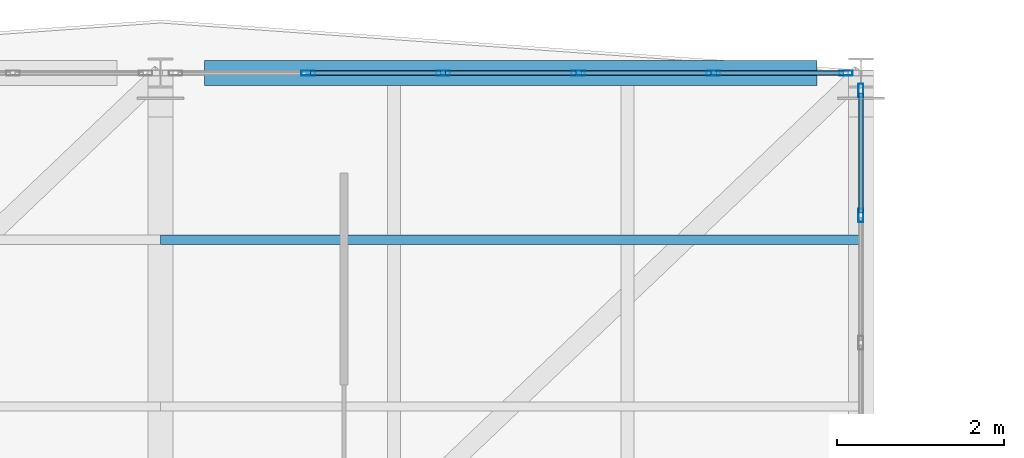
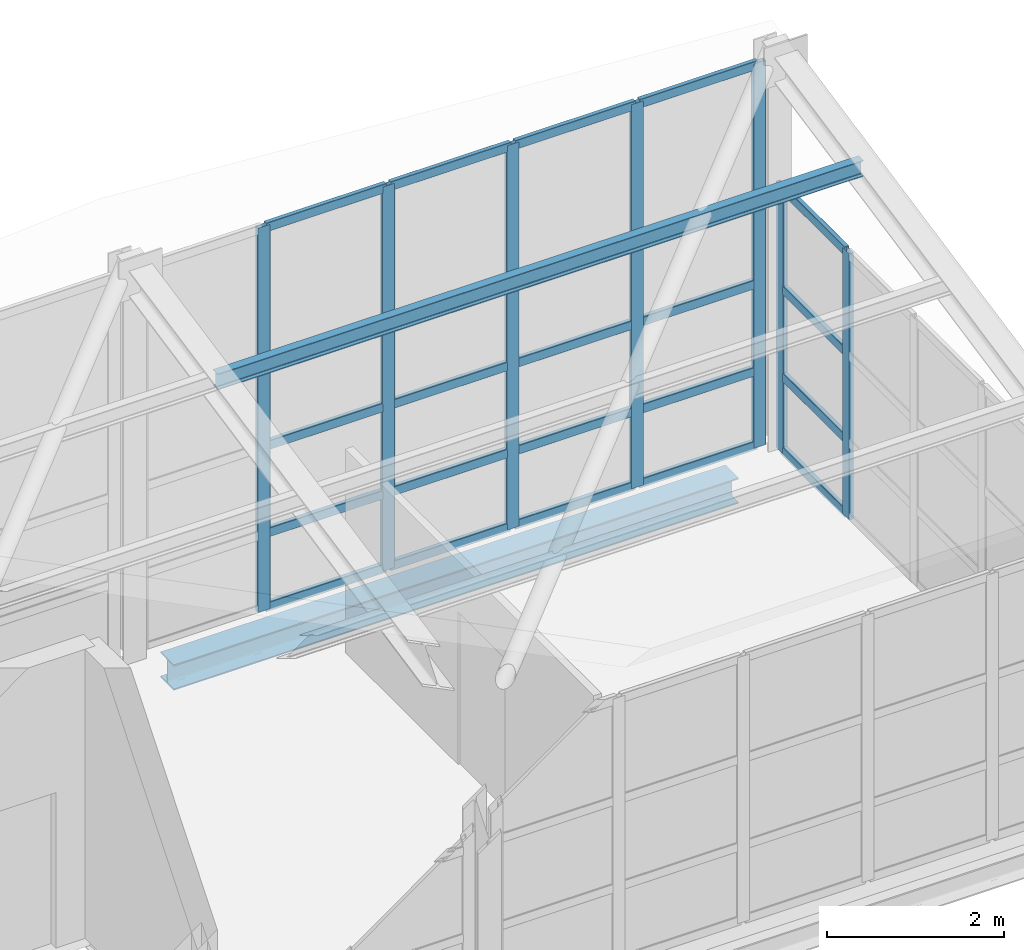
# One storey, part 119 of 177: 32 members, 1 beam, 2 elements without a shape of their own.
"""IFC4 building model written with IfcOpenShell, lengths in metres."""

from ifc_helpers import new_model, si_unit, direction, frame, origin, origin_2d, place, context, subcontext, project, spatial, hollow_rectangle, i_section, extrude, material, layer, layer_set, material_profile, profile_set, type_object, element, aggregate, save


model = new_model("IFC4")

# Units and contexts
model_context = context("Model", 3, precision=1e-05, world=origin(), true_north=direction((0.0, 1.0)))
body_context = subcontext(model_context, "Body", "Model", "MODEL_VIEW")
ifc_project = project(units=[si_unit("LENGTHUNIT", "METRE"), si_unit("AREAUNIT", "SQUARE_METRE"), si_unit("VOLUMEUNIT", "CUBIC_METRE"), si_unit("PLANEANGLEUNIT", "RADIAN"), si_unit("MASSUNIT", "GRAM", prefix="KILO"), si_unit("THERMODYNAMICTEMPERATUREUNIT", "KELVIN"), si_unit("POWERUNIT", "WATT")], contexts=[model_context])

# Site, building, storey
site_placement = place(None, origin())
site = spatial("IfcSite", under=ifc_project, at=site_placement, CompositionType="ELEMENT")
building_placement = place(site_placement, origin())
building = spatial("IfcBuilding", under=site, at=building_placement, Name="Mavoryth Pier Ferry Terminal", CompositionType="ELEMENT")
storey_placement = place(building_placement, frame((0.0, 0.0, 5.43994140625)))
storey = spatial("IfcBuildingStorey", under=building, at=storey_placement, Name="L01", CompositionType="ELEMENT", Elevation=5.43994140625)

# Curtain wall, members
ifc_material_1 = material(Name="Anodised Aluminium and Solar-Control Low-E Glass", Category="aluminium")
ifc_layer = layer(ifc_material_1, 0.139892578125, Name="Anodised Aluminium and Solar-Control Low-E Glass", Category="aluminium")
ifc_layer_set = layer_set([ifc_layer], Name="Anodised Aluminium and Solar-Control Low-E Glass - CW-Gallery-Mod1600")
curtain_wall_type = type_object("IfcCurtainWallType", Name="CW-Gallery-Mod1600", PredefinedType="USERDEFINED", material=ifc_layer_set)
curtain_wall_1_placement = place(storey_placement, origin())
curtain_wall_1 = element("IfcCurtainWall", 1, at=curtain_wall_1_placement, inside=storey, type_object=curtain_wall_type, Name="Curtain Wall CW-0122-094", ObjectType="UNITISED CURTAIN WALL", PredefinedType="USERDEFINED")
ifc_material_2 = material(Name="Anodised Aluminium EN AW-6063", Category="aluminium")
ifc_material_profile_1 = material_profile(ifc_material_2, hollow_rectangle(XDim=0.06005859375, YDim=0.1650390625, WallThickness=0.00390625, InnerFilletRadius=0.00390625, OuterFilletRadius=0.008056640625, at=origin_2d()), Name="AL-MULL 165x60x4", Category="aluminium")
ifc_profile_set_1 = profile_set([ifc_material_profile_1], Name="Anodised Aluminium EN AW-6063 - AL-MULL 165x60x4")
member_type_1 = type_object("IfcMemberType", Name="Mullion-Alum-165x60", PredefinedType="MULLION", material=ifc_profile_set_1)
member_1_placement = place(storey_placement, frame((151.02001953125, 114.0, 0.0), z_axis=(0.0, 0.0, 1.0), x_axis=(0.0, -1.0, 0.0)))
member_1 = element("IfcMember", 2, at=member_1_placement, type_object=member_type_1, Name="CW05 mullion 1", PredefinedType="MULLION", context=body_context, shape_type="SweptSolid", body=[
    extrude(hollow_rectangle(XDim=0.06005859375, YDim=0.1650390625, WallThickness=0.00390625, InnerFilletRadius=0.00390625, OuterFilletRadius=0.008056640625, at=origin_2d()), origin(), (0.0, 0.0, 1.0), 5.28759765625),
])
member_2_placement = place(storey_placement, frame((149.429931640625, 114.0, 0.0), z_axis=(0.0, 0.0, 1.0), x_axis=(0.0, -1.0, 0.0)))
member_2 = element("IfcMember", 3, at=member_2_placement, type_object=member_type_1, Name="CW05 mullion 2", PredefinedType="MULLION", context=body_context, shape_type="SweptSolid", body=[
    extrude(hollow_rectangle(XDim=0.06005859375, YDim=0.1650390625, WallThickness=0.00390625, InnerFilletRadius=0.00390625, OuterFilletRadius=0.008056640625, at=origin_2d()), origin(), (0.0, 0.0, 1.0), 5.28759765625),
])
member_3_placement = place(storey_placement, frame((147.81005859375, 114.0, 0.0), z_axis=(0.0, 0.0, 1.0), x_axis=(0.0, -1.0, 0.0)))
member_3 = element("IfcMember", 4, at=member_3_placement, type_object=member_type_1, Name="CW05 mullion 3", PredefinedType="MULLION", context=body_context, shape_type="SweptSolid", body=[
    extrude(hollow_rectangle(XDim=0.06005859375, YDim=0.1650390625, WallThickness=0.00390625, InnerFilletRadius=0.00390625, OuterFilletRadius=0.008056640625, at=origin_2d()), origin(), (0.0, 0.0, 1.0), 5.28759765625),
])
member_4_placement = place(storey_placement, frame((146.18994140625, 114.0, 0.0), z_axis=(0.0, 0.0, 1.0), x_axis=(0.0, -1.0, 0.0)))
member_4 = element("IfcMember", 5, at=member_4_placement, type_object=member_type_1, Name="CW05 mullion 4", PredefinedType="MULLION", context=body_context, shape_type="SweptSolid", body=[
    extrude(hollow_rectangle(XDim=0.06005859375, YDim=0.1650390625, WallThickness=0.00390625, InnerFilletRadius=0.00390625, OuterFilletRadius=0.008056640625, at=origin_2d()), origin(), (0.0, 0.0, 1.0), 5.28759765625),
])
member_5_placement = place(storey_placement, frame((144.570068359375, 114.0, 0.0), z_axis=(0.0, 0.0, 1.0), x_axis=(0.0, -1.0, 0.0)))
member_5 = element("IfcMember", 6, at=member_5_placement, type_object=member_type_1, Name="CW05 mullion 5", PredefinedType="MULLION", context=body_context, shape_type="SweptSolid", body=[
    extrude(hollow_rectangle(XDim=0.06005859375, YDim=0.1650390625, WallThickness=0.00390625, InnerFilletRadius=0.00390625, OuterFilletRadius=0.008056640625, at=origin_2d()), origin(), (0.0, 0.0, 1.0), 5.28759765625),
])

curtain_wall_2_placement = place(storey_placement, origin())
curtain_wall_2 = element("IfcCurtainWall", 7, at=curtain_wall_2_placement, inside=storey, type_object=curtain_wall_type, Name="Curtain Wall CW-0122-097", ObjectType="UNITISED CURTAIN WALL", PredefinedType="USERDEFINED")
member_6_placement = place(storey_placement, frame((151.199951171875, 112.2919921875, 0.0), z_axis=(0.0, 0.0, 1.0), x_axis=(-1.0, 0.0, 0.0)))
member_6 = element("IfcMember", 8, at=member_6_placement, type_object=member_type_1, Name="CW05 mullion 5", PredefinedType="MULLION", context=body_context, shape_type="SweptSolid", body=[
    extrude(hollow_rectangle(XDim=0.06005859375, YDim=0.1650390625, WallThickness=0.00390625, InnerFilletRadius=0.00390625, OuterFilletRadius=0.008056640625, at=origin_2d()), origin(), (0.0, 0.0, 1.0), 3.66015625),
])
member_7_placement = place(storey_placement, frame((151.199951171875, 113.7900390625, 0.0), z_axis=(0.0, 0.0, 1.0), x_axis=(-1.0, 0.0, 0.0)))
member_7 = element("IfcMember", 9, at=member_7_placement, type_object=member_type_1, Name="CW05 mullion 6", PredefinedType="MULLION", context=body_context, shape_type="SweptSolid", body=[
    extrude(hollow_rectangle(XDim=0.06005859375, YDim=0.1650390625, WallThickness=0.00390625, InnerFilletRadius=0.00390625, OuterFilletRadius=0.008056640625, at=origin_2d()), origin(), (0.0, 0.0, 1.0), 3.66015625),
])

# Member
ifc_material_3 = material(Name="Steel S355J2", Category="steel")
ifc_material_profile_2 = material_profile(ifc_material_3, i_section(OverallWidth=0.110107421875, OverallDepth=0.219970703125, WebThickness=0.005859375, FlangeThickness=0.00927734375, FilletRadius=0.011962890625, at=origin_2d()), Name="IPE 220", Category="steel")
ifc_profile_set_2 = profile_set([ifc_material_profile_2], Name="Steel S355J2 - IPE 220")
member_type_2 = type_object("IfcMemberType", Name="Purlin-Roof-IPE220", PredefinedType="PURLIN", material=ifc_profile_set_2)
member_8_placement = place(storey_placement, frame((142.800048828125, 112.0, 4.991943359375), z_axis=(1.0, 0.0, 0.0), x_axis=(0.0, 1.0, 0.0)))
element("IfcMember", 10, at=member_8_placement, inside=storey, type_object=member_type_2, Name="Steel Member MB-L01-0296", PredefinedType="PURLIN", context=body_context, shape_type="SweptSolid", body=[
    extrude(i_section(OverallWidth=0.110107421875, OverallDepth=0.219970703125, WebThickness=0.005859375, FlangeThickness=0.00927734375, FilletRadius=0.011962890625, at=origin_2d()), origin(), (0.0, 0.0, 1.0), 8.39990234375),
])

# Beam
ifc_material_profile_3 = material_profile(ifc_material_3, i_section(OverallWidth=0.300048828125, OverallDepth=0.35009765625, WebThickness=0.010009765625, FlangeThickness=0.017578125, FilletRadius=0.027099609375, at=origin_2d()), Name="HEA 360", Category="steel")
ifc_profile_set_3 = profile_set([ifc_material_profile_3], Name="Steel S355J2 - HEA 360")
beam_type = type_object("IfcBeamType", Name="Spandrel-Steel-HEA360", PredefinedType="SPANDREL", material=ifc_profile_set_3)
beam_placement = place(storey_placement, frame((143.324951171875, 114.0, -0.4150390625), z_axis=(1.0, 0.0, 0.0), x_axis=(0.0, 1.0, 0.0)))
element("IfcBeam", 11, at=beam_placement, inside=storey, type_object=beam_type, Name="Beam B01-SP03-0277", PredefinedType="SPANDREL", context=body_context, shape_type="SweptSolid", body=[
    extrude(i_section(OverallWidth=0.300048828125, OverallDepth=0.35009765625, WebThickness=0.010009765625, FlangeThickness=0.017578125, FilletRadius=0.027099609375, at=origin_2d()), origin(), (0.0, 0.0, 1.0), 7.35009765625),
])

# Member
ifc_material_profile_4 = material_profile(ifc_material_2, hollow_rectangle(XDim=0.06005859375, YDim=0.125, WallThickness=0.00390625, InnerFilletRadius=0.00390625, OuterFilletRadius=0.008056640625, at=origin_2d()), Name="AL-TRAN 125x60x4", Category="aluminium")
ifc_profile_set_4 = profile_set([ifc_material_profile_4], Name="Anodised Aluminium EN AW-6063 - AL-TRAN 125x60x4")
member_type_3 = type_object("IfcMemberType", Name="Transom-Alum-125x60", PredefinedType="USERDEFINED", material=ifc_profile_set_4)
member_9_placement = place(storey_placement, frame((150.989990234375, 114.0, 0.030029296875), z_axis=(-1.0, 0.0, 0.0), x_axis=(0.0, -1.0, 0.0)))
member_9 = element("IfcMember", 12, at=member_9_placement, type_object=member_type_3, Name="CW05 transom 1.1", ObjectType="TRANSOM", PredefinedType="USERDEFINED", context=body_context, shape_type="SweptSolid", body=[
    extrude(hollow_rectangle(XDim=0.06005859375, YDim=0.125, WallThickness=0.00390625, InnerFilletRadius=0.00390625, OuterFilletRadius=0.008056640625, at=origin_2d()), origin(), (0.0, 0.0, 1.0), 1.530029296875),
])

member_10_placement = place(storey_placement, frame((150.989990234375, 114.0, 1.050048828125), z_axis=(-1.0, 0.0, 0.0), x_axis=(0.0, -1.0, 0.0)))
member_10 = element("IfcMember", 13, at=member_10_placement, type_object=member_type_3, Name="CW05 transom 1.2", ObjectType="TRANSOM", PredefinedType="USERDEFINED", context=body_context, shape_type="SweptSolid", body=[
    extrude(hollow_rectangle(XDim=0.06005859375, YDim=0.125, WallThickness=0.00390625, InnerFilletRadius=0.00390625, OuterFilletRadius=0.008056640625, at=origin_2d()), origin(), (0.0, 0.0, 1.0), 1.530029296875),
])

member_11_placement = place(storey_placement, frame((150.989990234375, 114.0, 2.25), z_axis=(-1.0, 0.0, 0.0), x_axis=(0.0, -1.0, 0.0)))
member_11 = element("IfcMember", 14, at=member_11_placement, type_object=member_type_3, Name="CW05 transom 1.3", ObjectType="TRANSOM", PredefinedType="USERDEFINED", context=body_context, shape_type="SweptSolid", body=[
    extrude(hollow_rectangle(XDim=0.06005859375, YDim=0.125, WallThickness=0.00390625, InnerFilletRadius=0.00390625, OuterFilletRadius=0.008056640625, at=origin_2d()), origin(), (0.0, 0.0, 1.0), 1.530029296875),
])

member_12_placement = place(storey_placement, frame((150.989990234375, 114.0, 3.300048828125), z_axis=(-1.0, 0.0, 0.0), x_axis=(0.0, -1.0, 0.0)))
member_12 = element("IfcMember", 15, at=member_12_placement, type_object=member_type_3, Name="CW05 transom 1.4", ObjectType="TRANSOM", PredefinedType="USERDEFINED", context=body_context, shape_type="SweptSolid", body=[
    extrude(hollow_rectangle(XDim=0.06005859375, YDim=0.125, WallThickness=0.00390625, InnerFilletRadius=0.00390625, OuterFilletRadius=0.008056640625, at=origin_2d()), origin(), (0.0, 0.0, 1.0), 1.530029296875),
])

member_13_placement = place(storey_placement, frame((150.989990234375, 114.0, 5.257568359375), z_axis=(-1.0, 0.0, 0.0), x_axis=(0.0, -1.0, 0.0)))
member_13 = element("IfcMember", 16, at=member_13_placement, type_object=member_type_3, Name="CW05 transom 1.5", ObjectType="TRANSOM", PredefinedType="USERDEFINED", context=body_context, shape_type="SweptSolid", body=[
    extrude(hollow_rectangle(XDim=0.06005859375, YDim=0.125, WallThickness=0.00390625, InnerFilletRadius=0.00390625, OuterFilletRadius=0.008056640625, at=origin_2d()), origin(), (0.0, 0.0, 1.0), 1.530029296875),
])

member_14_placement = place(storey_placement, frame((149.39990234375, 114.0, 0.030029296875), z_axis=(-1.0, 0.0, 0.0), x_axis=(0.0, -1.0, 0.0)))
member_14 = element("IfcMember", 17, at=member_14_placement, type_object=member_type_3, Name="CW05 transom 2.1", ObjectType="TRANSOM", PredefinedType="USERDEFINED", context=body_context, shape_type="SweptSolid", body=[
    extrude(hollow_rectangle(XDim=0.06005859375, YDim=0.125, WallThickness=0.00390625, InnerFilletRadius=0.00390625, OuterFilletRadius=0.008056640625, at=origin_2d()), origin(), (0.0, 0.0, 1.0), 1.559814453125),
])

member_15_placement = place(storey_placement, frame((149.39990234375, 114.0, 1.050048828125), z_axis=(-1.0, 0.0, 0.0), x_axis=(0.0, -1.0, 0.0)))
member_15 = element("IfcMember", 18, at=member_15_placement, type_object=member_type_3, Name="CW05 transom 2.2", ObjectType="TRANSOM", PredefinedType="USERDEFINED", context=body_context, shape_type="SweptSolid", body=[
    extrude(hollow_rectangle(XDim=0.06005859375, YDim=0.125, WallThickness=0.00390625, InnerFilletRadius=0.00390625, OuterFilletRadius=0.008056640625, at=origin_2d()), origin(), (0.0, 0.0, 1.0), 1.559814453125),
])

member_16_placement = place(storey_placement, frame((149.39990234375, 114.0, 2.25), z_axis=(-1.0, 0.0, 0.0), x_axis=(0.0, -1.0, 0.0)))
member_16 = element("IfcMember", 19, at=member_16_placement, type_object=member_type_3, Name="CW05 transom 2.3", ObjectType="TRANSOM", PredefinedType="USERDEFINED", context=body_context, shape_type="SweptSolid", body=[
    extrude(hollow_rectangle(XDim=0.06005859375, YDim=0.125, WallThickness=0.00390625, InnerFilletRadius=0.00390625, OuterFilletRadius=0.008056640625, at=origin_2d()), origin(), (0.0, 0.0, 1.0), 1.559814453125),
])

member_17_placement = place(storey_placement, frame((149.39990234375, 114.0, 3.300048828125), z_axis=(-1.0, 0.0, 0.0), x_axis=(0.0, -1.0, 0.0)))
member_17 = element("IfcMember", 20, at=member_17_placement, type_object=member_type_3, Name="CW05 transom 2.4", ObjectType="TRANSOM", PredefinedType="USERDEFINED", context=body_context, shape_type="SweptSolid", body=[
    extrude(hollow_rectangle(XDim=0.06005859375, YDim=0.125, WallThickness=0.00390625, InnerFilletRadius=0.00390625, OuterFilletRadius=0.008056640625, at=origin_2d()), origin(), (0.0, 0.0, 1.0), 1.559814453125),
])

member_18_placement = place(storey_placement, frame((149.39990234375, 114.0, 5.257568359375), z_axis=(-1.0, 0.0, 0.0), x_axis=(0.0, -1.0, 0.0)))
member_18 = element("IfcMember", 21, at=member_18_placement, type_object=member_type_3, Name="CW05 transom 2.5", ObjectType="TRANSOM", PredefinedType="USERDEFINED", context=body_context, shape_type="SweptSolid", body=[
    extrude(hollow_rectangle(XDim=0.06005859375, YDim=0.125, WallThickness=0.00390625, InnerFilletRadius=0.00390625, OuterFilletRadius=0.008056640625, at=origin_2d()), origin(), (0.0, 0.0, 1.0), 1.559814453125),
])

member_19_placement = place(storey_placement, frame((147.780029296875, 114.0, 0.030029296875), z_axis=(-1.0, 0.0, 0.0), x_axis=(0.0, -1.0, 0.0)))
member_19 = element("IfcMember", 22, at=member_19_placement, type_object=member_type_3, Name="CW05 transom 3.1", ObjectType="TRANSOM", PredefinedType="USERDEFINED", context=body_context, shape_type="SweptSolid", body=[
    extrude(hollow_rectangle(XDim=0.06005859375, YDim=0.125, WallThickness=0.00390625, InnerFilletRadius=0.00390625, OuterFilletRadius=0.008056640625, at=origin_2d()), origin(), (0.0, 0.0, 1.0), 1.56005859375),
])

member_20_placement = place(storey_placement, frame((147.780029296875, 114.0, 1.050048828125), z_axis=(-1.0, 0.0, 0.0), x_axis=(0.0, -1.0, 0.0)))
member_20 = element("IfcMember", 23, at=member_20_placement, type_object=member_type_3, Name="CW05 transom 3.2", ObjectType="TRANSOM", PredefinedType="USERDEFINED", context=body_context, shape_type="SweptSolid", body=[
    extrude(hollow_rectangle(XDim=0.06005859375, YDim=0.125, WallThickness=0.00390625, InnerFilletRadius=0.00390625, OuterFilletRadius=0.008056640625, at=origin_2d()), origin(), (0.0, 0.0, 1.0), 1.56005859375),
])

member_21_placement = place(storey_placement, frame((147.780029296875, 114.0, 2.25), z_axis=(-1.0, 0.0, 0.0), x_axis=(0.0, -1.0, 0.0)))
member_21 = element("IfcMember", 24, at=member_21_placement, type_object=member_type_3, Name="CW05 transom 3.3", ObjectType="TRANSOM", PredefinedType="USERDEFINED", context=body_context, shape_type="SweptSolid", body=[
    extrude(hollow_rectangle(XDim=0.06005859375, YDim=0.125, WallThickness=0.00390625, InnerFilletRadius=0.00390625, OuterFilletRadius=0.008056640625, at=origin_2d()), origin(), (0.0, 0.0, 1.0), 1.56005859375),
])

member_22_placement = place(storey_placement, frame((147.780029296875, 114.0, 3.300048828125), z_axis=(-1.0, 0.0, 0.0), x_axis=(0.0, -1.0, 0.0)))
member_22 = element("IfcMember", 25, at=member_22_placement, type_object=member_type_3, Name="CW05 transom 3.4", ObjectType="TRANSOM", PredefinedType="USERDEFINED", context=body_context, shape_type="SweptSolid", body=[
    extrude(hollow_rectangle(XDim=0.06005859375, YDim=0.125, WallThickness=0.00390625, InnerFilletRadius=0.00390625, OuterFilletRadius=0.008056640625, at=origin_2d()), origin(), (0.0, 0.0, 1.0), 1.56005859375),
])

member_23_placement = place(storey_placement, frame((147.780029296875, 114.0, 5.257568359375), z_axis=(-1.0, 0.0, 0.0), x_axis=(0.0, -1.0, 0.0)))
member_23 = element("IfcMember", 26, at=member_23_placement, type_object=member_type_3, Name="CW05 transom 3.5", ObjectType="TRANSOM", PredefinedType="USERDEFINED", context=body_context, shape_type="SweptSolid", body=[
    extrude(hollow_rectangle(XDim=0.06005859375, YDim=0.125, WallThickness=0.00390625, InnerFilletRadius=0.00390625, OuterFilletRadius=0.008056640625, at=origin_2d()), origin(), (0.0, 0.0, 1.0), 1.56005859375),
])

member_24_placement = place(storey_placement, frame((146.159912109375, 114.0, 0.030029296875), z_axis=(-1.0, 0.0, 0.0), x_axis=(0.0, -1.0, 0.0)))
member_24 = element("IfcMember", 27, at=member_24_placement, type_object=member_type_3, Name="CW05 transom 4.1", ObjectType="TRANSOM", PredefinedType="USERDEFINED", context=body_context, shape_type="SweptSolid", body=[
    extrude(hollow_rectangle(XDim=0.06005859375, YDim=0.125, WallThickness=0.00390625, InnerFilletRadius=0.00390625, OuterFilletRadius=0.008056640625, at=origin_2d()), origin(), (0.0, 0.0, 1.0), 1.559814453125),
])

member_25_placement = place(storey_placement, frame((146.159912109375, 114.0, 1.050048828125), z_axis=(-1.0, 0.0, 0.0), x_axis=(0.0, -1.0, 0.0)))
member_25 = element("IfcMember", 28, at=member_25_placement, type_object=member_type_3, Name="CW05 transom 4.2", ObjectType="TRANSOM", PredefinedType="USERDEFINED", context=body_context, shape_type="SweptSolid", body=[
    extrude(hollow_rectangle(XDim=0.06005859375, YDim=0.125, WallThickness=0.00390625, InnerFilletRadius=0.00390625, OuterFilletRadius=0.008056640625, at=origin_2d()), origin(), (0.0, 0.0, 1.0), 1.559814453125),
])

member_26_placement = place(storey_placement, frame((146.159912109375, 114.0, 2.25), z_axis=(-1.0, 0.0, 0.0), x_axis=(0.0, -1.0, 0.0)))
member_26 = element("IfcMember", 29, at=member_26_placement, type_object=member_type_3, Name="CW05 transom 4.3", ObjectType="TRANSOM", PredefinedType="USERDEFINED", context=body_context, shape_type="SweptSolid", body=[
    extrude(hollow_rectangle(XDim=0.06005859375, YDim=0.125, WallThickness=0.00390625, InnerFilletRadius=0.00390625, OuterFilletRadius=0.008056640625, at=origin_2d()), origin(), (0.0, 0.0, 1.0), 1.559814453125),
])

member_27_placement = place(storey_placement, frame((146.159912109375, 114.0, 3.300048828125), z_axis=(-1.0, 0.0, 0.0), x_axis=(0.0, -1.0, 0.0)))
member_27 = element("IfcMember", 30, at=member_27_placement, type_object=member_type_3, Name="CW05 transom 4.4", ObjectType="TRANSOM", PredefinedType="USERDEFINED", context=body_context, shape_type="SweptSolid", body=[
    extrude(hollow_rectangle(XDim=0.06005859375, YDim=0.125, WallThickness=0.00390625, InnerFilletRadius=0.00390625, OuterFilletRadius=0.008056640625, at=origin_2d()), origin(), (0.0, 0.0, 1.0), 1.559814453125),
])

member_28_placement = place(storey_placement, frame((146.159912109375, 114.0, 5.257568359375), z_axis=(-1.0, 0.0, 0.0), x_axis=(0.0, -1.0, 0.0)))
member_28 = element("IfcMember", 31, at=member_28_placement, type_object=member_type_3, Name="CW05 transom 4.5", ObjectType="TRANSOM", PredefinedType="USERDEFINED", context=body_context, shape_type="SweptSolid", body=[
    extrude(hollow_rectangle(XDim=0.06005859375, YDim=0.125, WallThickness=0.00390625, InnerFilletRadius=0.00390625, OuterFilletRadius=0.008056640625, at=origin_2d()), origin(), (0.0, 0.0, 1.0), 1.559814453125),
])

aggregate(curtain_wall_1, [member_1, member_2, member_3, member_4, member_5, member_9, member_10, member_11, member_12, member_13, member_14, member_15, member_16, member_17, member_18, member_19, member_20, member_21, member_22, member_23, member_24, member_25, member_26, member_27, member_28])

member_29_placement = place(storey_placement, frame((151.199951171875, 112.322021484375, 0.030029296875), z_axis=(0.0, 1.0, 0.0), x_axis=(-1.0, 0.0, 0.0)))
member_29 = element("IfcMember", 32, at=member_29_placement, type_object=member_type_3, Name="CW05 transom 5.1", ObjectType="TRANSOM", PredefinedType="USERDEFINED", context=body_context, shape_type="SweptSolid", body=[
    extrude(hollow_rectangle(XDim=0.06005859375, YDim=0.125, WallThickness=0.00390625, InnerFilletRadius=0.00390625, OuterFilletRadius=0.008056640625, at=origin_2d()), origin(), (0.0, 0.0, 1.0), 1.43798828125),
])

member_30_placement = place(storey_placement, frame((151.199951171875, 112.322021484375, 1.050048828125), z_axis=(0.0, 1.0, 0.0), x_axis=(-1.0, 0.0, 0.0)))
member_30 = element("IfcMember", 33, at=member_30_placement, type_object=member_type_3, Name="CW05 transom 5.2", ObjectType="TRANSOM", PredefinedType="USERDEFINED", context=body_context, shape_type="SweptSolid", body=[
    extrude(hollow_rectangle(XDim=0.06005859375, YDim=0.125, WallThickness=0.00390625, InnerFilletRadius=0.00390625, OuterFilletRadius=0.008056640625, at=origin_2d()), origin(), (0.0, 0.0, 1.0), 1.43798828125),
])

member_31_placement = place(storey_placement, frame((151.199951171875, 112.322021484375, 2.25), z_axis=(0.0, 1.0, 0.0), x_axis=(-1.0, 0.0, 0.0)))
member_31 = element("IfcMember", 34, at=member_31_placement, type_object=member_type_3, Name="CW05 transom 5.3", ObjectType="TRANSOM", PredefinedType="USERDEFINED", context=body_context, shape_type="SweptSolid", body=[
    extrude(hollow_rectangle(XDim=0.06005859375, YDim=0.125, WallThickness=0.00390625, InnerFilletRadius=0.00390625, OuterFilletRadius=0.008056640625, at=origin_2d()), origin(), (0.0, 0.0, 1.0), 1.43798828125),
])

member_32_placement = place(storey_placement, frame((151.199951171875, 112.322021484375, 3.630126953125), z_axis=(0.0, 1.0, 0.0), x_axis=(-1.0, 0.0, 0.0)))
member_32 = element("IfcMember", 35, at=member_32_placement, type_object=member_type_3, Name="CW05 transom 5.4", ObjectType="TRANSOM", PredefinedType="USERDEFINED", context=body_context, shape_type="SweptSolid", body=[
    extrude(hollow_rectangle(XDim=0.06005859375, YDim=0.125, WallThickness=0.00390625, InnerFilletRadius=0.00390625, OuterFilletRadius=0.008056640625, at=origin_2d()), origin(), (0.0, 0.0, 1.0), 1.43798828125),
])

aggregate(curtain_wall_2, [member_6, member_7, member_29, member_30, member_31, member_32])

save(model, "model.ifc")
